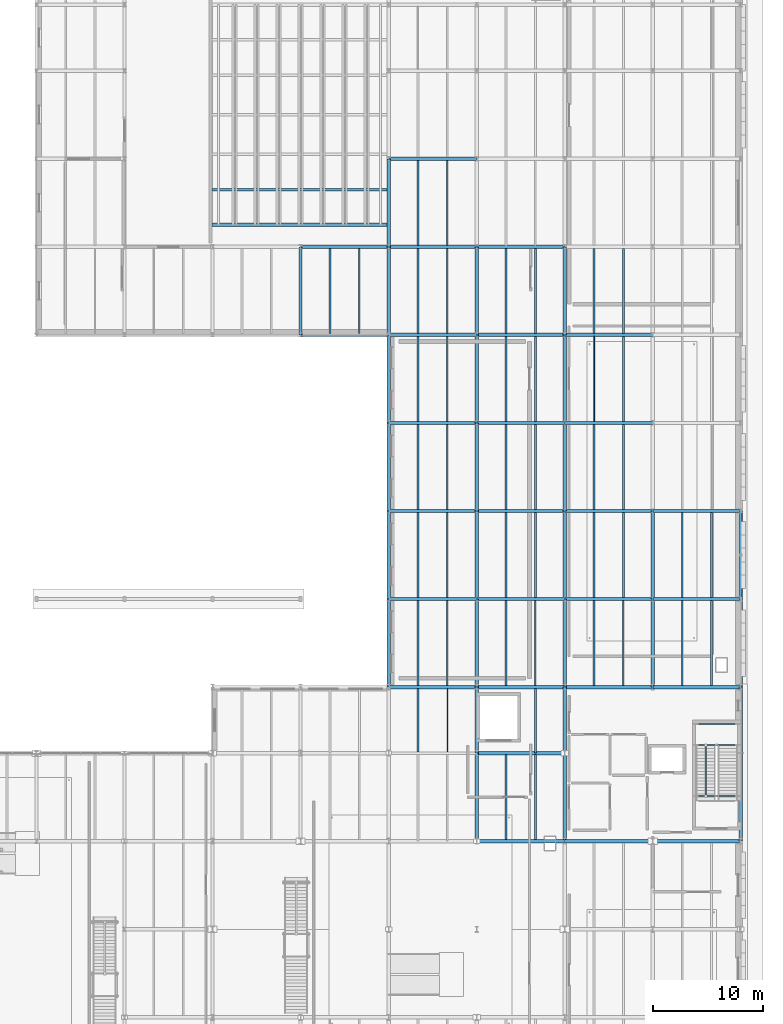
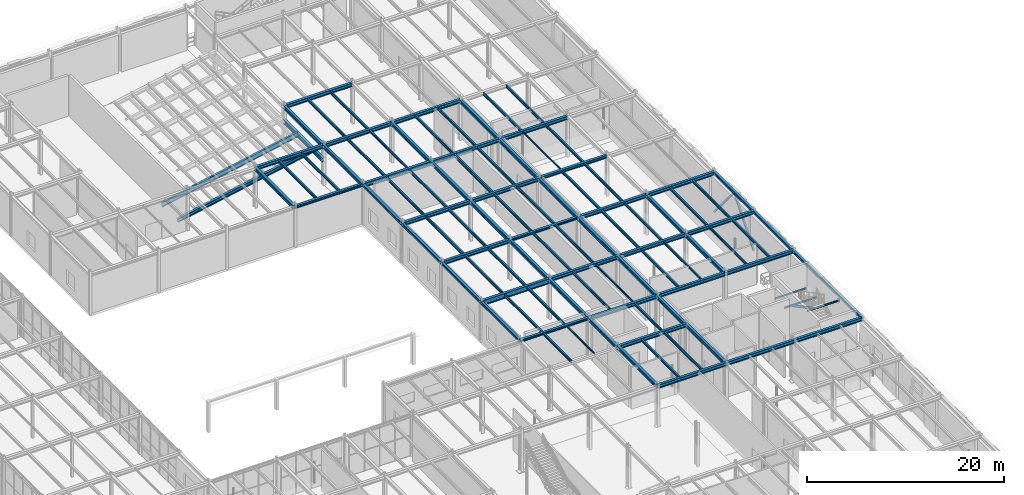
# One storey, part 57 of 129: 103 beams, 3 members.
"""IFC4 building model written with IfcOpenShell, lengths in metres."""

from ifc_helpers import new_model, si_unit, direction, frame, origin, origin_2d, place, context, subcontext, project, spatial, hollow_rectangle, i_section, extrude, material, material_profile, profile_set, type_object, element, save


model = new_model("IFC4")

# Units and contexts
model_context = context("Model", 3, precision=1e-05, world=origin(), true_north=direction((0.0, 1.0)))
body_context = subcontext(model_context, "Body", "Model", "MODEL_VIEW")
ifc_project = project(units=[si_unit("LENGTHUNIT", "METRE"), si_unit("AREAUNIT", "SQUARE_METRE"), si_unit("VOLUMEUNIT", "CUBIC_METRE"), si_unit("PLANEANGLEUNIT", "RADIAN"), si_unit("MASSUNIT", "GRAM", prefix="KILO")], contexts=[model_context])

# Site, building, storey
site_placement = place(None, origin())
site = spatial("IfcSite", under=ifc_project, at=site_placement, CompositionType="ELEMENT")
building_placement = place(site_placement, origin())
building = spatial("IfcBuilding", under=site, at=building_placement, Name="Sundkrona Museum", CompositionType="ELEMENT")
storey_placement = place(building_placement, origin())
storey = spatial("IfcBuildingStorey", under=building, at=storey_placement, Name="L00", CompositionType="ELEMENT", Elevation=0.0)

# Beams
ifc_material = material(Name="Steel S355J2", Category="steel")
ifc_material_profile_1 = material_profile(ifc_material, i_section(OverallWidth=0.300048828125, OverallDepth=0.2900390625, WebThickness=0.008544921875, FlangeThickness=0.013916015625, FilletRadius=0.027099609375, at=origin_2d()), Name="HEA 300")
ifc_profile_set_1 = profile_set([ifc_material_profile_1], Name="Steel S355J2")
beam_type_1 = type_object("IfcBeamType", Name="B-HEA300", PredefinedType="BEAM", material=ifc_profile_set_1)
beam_1_placement = place(storey_placement, frame((136.0, 46.0, 4.905029296875), z_axis=(1.0, 0.0, 0.0), x_axis=(0.0, 1.0, 0.0)))
element("IfcBeam", 1, at=beam_1_placement, inside=storey, type_object=beam_type_1, Name="L00 Girder X-0486", PredefinedType="BEAM", context=body_context, shape_type="SweptSolid", body=[
    extrude(i_section(OverallWidth=0.300048828125, OverallDepth=0.2900390625, WebThickness=0.008544921875, FlangeThickness=0.013916015625, FilletRadius=0.027099609375, at=origin_2d()), origin(), (0.0, 0.0, 1.0), 8.0),
])
ifc_material_profile_2 = material_profile(ifc_material, i_section(OverallWidth=0.300048828125, OverallDepth=0.43994140625, WebThickness=0.011474609375, FlangeThickness=0.02099609375, FilletRadius=0.027099609375, at=origin_2d()), Name="HEA 450")
ifc_profile_set_2 = profile_set([ifc_material_profile_2], Name="Steel S355J2")
beam_type_2 = type_object("IfcBeamType", Name="B-HEA450", PredefinedType="BEAM", material=ifc_profile_set_2)
for number, where, z_axis, x_axis, name in (
    (2, (144.0, 32.0, 4.93994140625), (1.0, 0.0, 0.0), (0.0, 1.0, 0.0), "L00 Girder X-0465"),
    (3, (152.0, 32.0, 4.93994140625), (1.0, 0.0, 0.0), (0.0, 1.0, 0.0), "L00 Girder X-0466"),
    (4, (160.0, 32.0, 4.93994140625), (1.0, 0.0, 0.0), (0.0, 1.0, 0.0), "L00 Girder X-0467"),
    (5, (144.0, 40.0, 4.93994140625), (1.0, 0.0, 0.0), (0.0, 1.0, 0.0), "L00 Girder X-0478"),
    (6, (144.0, 46.0, 4.830078125), (1.0, 0.0, 0.0), (0.0, 1.0, 0.0), "L00 Girder X-0487"),
    (7, (152.0, 46.0, 4.830078125), (1.0, 0.0, 0.0), (0.0, 1.0, 0.0), "L00 Girder X-0488"),
    (8, (160.0, 46.0, 4.830078125), (1.0, 0.0, 0.0), (0.0, 1.0, 0.0), "L00 Girder X-0489"),
    (9, (144.0, 54.0, 4.830078125), (1.0, 0.0, 0.0), (0.0, 1.0, 0.0), "L00 Girder X-0496"),
    (10, (152.0, 54.0, 4.830078125), (1.0, 0.0, 0.0), (0.0, 1.0, 0.0), "L00 Girder X-0497"),
    (11, (160.0, 54.0, 4.830078125), (1.0, 0.0, 0.0), (0.0, 1.0, 0.0), "L00 Girder X-0498"),
    (12, (136.0, 62.0, 4.830078125), (1.0, 0.0, 0.0), (0.0, 1.0, 0.0), "L00 Girder X-0503"),
    (13, (152.0, 62.0, 4.830078125), (1.0, 0.0, 0.0), (0.0, 1.0, 0.0), "L00 Girder X-0505"),
    (14, (160.0, 62.0, 4.830078125), (1.0, 0.0, 0.0), (0.0, 1.0, 0.0), "L00 Girder X-0506"),
    (15, (136.0, 70.0, 4.830078125), (1.0, 0.0, 0.0), (0.0, 1.0, 0.0), "L00 Girder X-0511"),
    (16, (144.0, 70.0, 4.830078125), (1.0, 0.0, 0.0), (0.0, 1.0, 0.0), "L00 Girder X-0512"),
    (17, (144.0, 78.0, 4.830078125), (1.0, 0.0, 0.0), (0.0, 1.0, 0.0), "L00 Girder X-0532"),
    (18, (152.0, 78.0, 4.830078125), (1.0, 0.0, 0.0), (0.0, 1.0, 0.0), "L00 Girder X-0533"),
    (19, (128.0, 86.0, 4.830078125), (1.0, 0.0, 0.0), (0.0, 1.0, 0.0), "L00 Girder X-0543"),
    (20, (136.0, 86.0, 4.830078125), (1.0, 0.0, 0.0), (0.0, 1.0, 0.0), "L00 Girder X-0544"),
    (21, (144.0, 86.0, 4.830078125), (1.0, 0.0, 0.0), (0.0, 1.0, 0.0), "L00 Girder X-0545"),
    (22, (136.0, 94.0, 4.830078125), (1.0, 0.0, 0.0), (0.0, 1.0, 0.0), "L00 Girder X-0561"),
    (23, (128.0, 78.0, 4.830078125), (0.0, 1.0, 0.0), (-1.0, 0.0, 0.0), "L00 Girder Y-0737"),
    (24, (136.0, 78.0, 4.830078125), (0.0, 1.0, 0.0), (-1.0, 0.0, 0.0), "L00 Girder Y-0748"),
    (25, (136.0, 86.0, 4.830078125), (0.0, 1.0, 0.0), (-1.0, 0.0, 0.0), "L00 Girder Y-0749"),
    (26, (144.0, 32.0, 4.93994140625), (0.0, 1.0, 0.0), (-1.0, 0.0, 0.0), "L00 Girder Y-0755"),
):
    element("IfcBeam", number, at=place(storey_placement, frame(where, z_axis=z_axis, x_axis=x_axis)), inside=storey, type_object=beam_type_2, Name=name, PredefinedType="BEAM", context=body_context, shape_type="SweptSolid", body=[
        extrude(i_section(OverallWidth=0.300048828125, OverallDepth=0.43994140625, WebThickness=0.011474609375, FlangeThickness=0.02099609375, FilletRadius=0.027099609375, at=origin_2d()), origin(), (0.0, 0.0, 1.0), 8.0),
    ])
beam_2_placement = place(storey_placement, frame((144.0, 40.0, 4.830078125), z_axis=(0.0, 1.0, 0.0), x_axis=(-1.0, 0.0, 0.0)))
element("IfcBeam", 27, at=beam_2_placement, inside=storey, type_object=beam_type_2, Name="L00 Girder Y-0756", PredefinedType="BEAM", context=body_context, shape_type="SweptSolid", body=[
    extrude(i_section(OverallWidth=0.300048828125, OverallDepth=0.43994140625, WebThickness=0.011474609375, FlangeThickness=0.02099609375, FilletRadius=0.027099609375, at=origin_2d()), origin(), (0.0, 0.0, 1.0), 6.0),
])
for number, where, z_axis, x_axis, name in (
    (28, (144.0, 46.0, 4.830078125), (0.0, 1.0, 0.0), (-1.0, 0.0, 0.0), "L00 Girder Y-0757"),
    (29, (144.0, 54.0, 4.830078125), (0.0, 1.0, 0.0), (-1.0, 0.0, 0.0), "L00 Girder Y-0758"),
    (30, (144.0, 62.0, 4.830078125), (0.0, 1.0, 0.0), (-1.0, 0.0, 0.0), "L00 Girder Y-0759"),
    (31, (144.0, 70.0, 4.830078125), (0.0, 1.0, 0.0), (-1.0, 0.0, 0.0), "L00 Girder Y-0760"),
    (32, (144.0, 78.0, 4.830078125), (0.0, 1.0, 0.0), (-1.0, 0.0, 0.0), "L00 Girder Y-0761"),
    (33, (152.0, 32.0, 4.93994140625), (0.0, 1.0, 0.0), (-1.0, 0.0, 0.0), "L00 Girder Y-0769"),
):
    element("IfcBeam", number, at=place(storey_placement, frame(where, z_axis=z_axis, x_axis=x_axis)), inside=storey, type_object=beam_type_2, Name=name, PredefinedType="BEAM", context=body_context, shape_type="SweptSolid", body=[
        extrude(i_section(OverallWidth=0.300048828125, OverallDepth=0.43994140625, WebThickness=0.011474609375, FlangeThickness=0.02099609375, FilletRadius=0.027099609375, at=origin_2d()), origin(), (0.0, 0.0, 1.0), 8.0),
    ])
beam_3_placement = place(storey_placement, frame((152.0, 40.0, 4.830078125), z_axis=(0.0, 1.0, 0.0), x_axis=(-1.0, 0.0, 0.0)))
element("IfcBeam", 34, at=beam_3_placement, inside=storey, type_object=beam_type_2, Name="L00 Girder Y-0770", PredefinedType="BEAM", context=body_context, shape_type="SweptSolid", body=[
    extrude(i_section(OverallWidth=0.300048828125, OverallDepth=0.43994140625, WebThickness=0.011474609375, FlangeThickness=0.02099609375, FilletRadius=0.027099609375, at=origin_2d()), origin(), (0.0, 0.0, 1.0), 6.0),
])
for number, where, z_axis, x_axis, name in (
    (35, (152.0, 46.0, 4.830078125), (0.0, 1.0, 0.0), (-1.0, 0.0, 0.0), "L00 Girder Y-0771"),
    (36, (152.0, 54.0, 4.830078125), (0.0, 1.0, 0.0), (-1.0, 0.0, 0.0), "L00 Girder Y-0772"),
    (37, (152.0, 62.0, 4.830078125), (0.0, 1.0, 0.0), (-1.0, 0.0, 0.0), "L00 Girder Y-0773"),
    (38, (152.0, 70.0, 4.830078125), (0.0, 1.0, 0.0), (-1.0, 0.0, 0.0), "L00 Girder Y-0774"),
    (39, (152.0, 78.0, 4.830078125), (0.0, 1.0, 0.0), (-1.0, 0.0, 0.0), "L00 Girder Y-0775"),
    (40, (160.0, 46.0, 4.830078125), (0.0, 1.0, 0.0), (-1.0, 0.0, 0.0), "L00 Girder Y-0784"),
    (41, (160.0, 54.0, 4.830078125), (0.0, 1.0, 0.0), (-1.0, 0.0, 0.0), "L00 Girder Y-0785"),
):
    element("IfcBeam", number, at=place(storey_placement, frame(where, z_axis=z_axis, x_axis=x_axis)), inside=storey, type_object=beam_type_2, Name=name, PredefinedType="BEAM", context=body_context, shape_type="SweptSolid", body=[
        extrude(i_section(OverallWidth=0.300048828125, OverallDepth=0.43994140625, WebThickness=0.011474609375, FlangeThickness=0.02099609375, FilletRadius=0.027099609375, at=origin_2d()), origin(), (0.0, 0.0, 1.0), 8.0),
    ])
ifc_material_profile_3 = material_profile(ifc_material, i_section(OverallWidth=0.300048828125, OverallDepth=0.639892578125, WebThickness=0.013427734375, FlangeThickness=0.02587890625, FilletRadius=0.027099609375, at=origin_2d()), Name="HEA 650")
ifc_profile_set_3 = profile_set([ifc_material_profile_3], Name="Steel S355J2")
beam_type_3 = type_object("IfcBeamType", Name="B-HEA650", PredefinedType="BEAM", material=ifc_profile_set_3)
beam_4_placement = place(storey_placement, frame((136.0, 54.0, 4.72998046875), z_axis=(1.0, 0.0, 0.0), x_axis=(0.0, 1.0, 0.0)))
element("IfcBeam", 42, at=beam_4_placement, inside=storey, type_object=beam_type_3, Name="L00 Girder X-0495", PredefinedType="BEAM", context=body_context, shape_type="SweptSolid", body=[
    extrude(i_section(OverallWidth=0.300048828125, OverallDepth=0.639892578125, WebThickness=0.013427734375, FlangeThickness=0.02587890625, FilletRadius=0.027099609375, at=origin_2d()), origin(), (0.0, 0.0, 1.0), 8.0),
])
ifc_material_profile_4 = material_profile(ifc_material, i_section(OverallWidth=0.300048828125, OverallDepth=0.300048828125, WebThickness=0.010986328125, FlangeThickness=0.01904296875, FilletRadius=0.027099609375, at=origin_2d()), Name="HEB 300")
ifc_profile_set_4 = profile_set([ifc_material_profile_4], Name="Steel S355J2")
beam_type_4 = type_object("IfcBeamType", Name="B-HEB300", PredefinedType="BEAM", material=ifc_profile_set_4)
beam_5_placement = place(storey_placement, frame((144.0, 62.0, 4.89990234375), z_axis=(1.0, 0.0, 0.0), x_axis=(0.0, 1.0, 0.0)))
element("IfcBeam", 43, at=beam_5_placement, inside=storey, type_object=beam_type_4, Name="L00 Girder X-0504", PredefinedType="BEAM", context=body_context, shape_type="SweptSolid", body=[
    extrude(i_section(OverallWidth=0.300048828125, OverallDepth=0.300048828125, WebThickness=0.010986328125, FlangeThickness=0.01904296875, FilletRadius=0.027099609375, at=origin_2d()), origin(), (0.0, 0.0, 1.0), 8.0),
])
ifc_material_profile_5 = material_profile(ifc_material, i_section(OverallWidth=0.300048828125, OverallDepth=0.360107421875, WebThickness=0.012451171875, FlangeThickness=0.0224609375, FilletRadius=0.027099609375, at=origin_2d()), Name="HEB 360")
ifc_profile_set_5 = profile_set([ifc_material_profile_5], Name="Steel S355J2")
beam_type_5 = type_object("IfcBeamType", Name="B-HEB360", PredefinedType="BEAM", material=ifc_profile_set_5)
beam_6_placement = place(storey_placement, frame((152.0, 70.0, 4.8701171875), z_axis=(1.0, 0.0, 0.0), x_axis=(0.0, 1.0, 0.0)))
element("IfcBeam", 44, at=beam_6_placement, inside=storey, type_object=beam_type_5, Name="L00 Girder X-0513", PredefinedType="BEAM", context=body_context, shape_type="SweptSolid", body=[
    extrude(i_section(OverallWidth=0.300048828125, OverallDepth=0.360107421875, WebThickness=0.012451171875, FlangeThickness=0.0224609375, FilletRadius=0.027099609375, at=origin_2d()), origin(), (0.0, 0.0, 1.0), 8.0),
])
ifc_material_profile_6 = material_profile(ifc_material, i_section(OverallWidth=0.300048828125, OverallDepth=0.5, WebThickness=0.014404296875, FlangeThickness=0.028076171875, FilletRadius=0.027099609375, at=origin_2d()), Name="HEB 500")
ifc_profile_set_6 = profile_set([ifc_material_profile_6], Name="Steel S355J2")
beam_type_6 = type_object("IfcBeamType", Name="B-HEB500", PredefinedType="BEAM", material=ifc_profile_set_6)
for number, where, z_axis, x_axis, name in (
    (45, (136.0, 78.0, 4.800048828125), (1.0, 0.0, 0.0), (0.0, 1.0, 0.0), "L00 Girder X-0531"),
    (46, (136.0, 86.0, 3.050048828125), (0.0, 1.0, 0.0), (-1.0, 0.0, 0.0), "RKR-1 Auditorium Rear Raker Support Girder 86"),
):
    element("IfcBeam", number, at=place(storey_placement, frame(where, z_axis=z_axis, x_axis=x_axis)), inside=storey, type_object=beam_type_6, Name=name, PredefinedType="BEAM", context=body_context, shape_type="SweptSolid", body=[
        extrude(i_section(OverallWidth=0.300048828125, OverallDepth=0.5, WebThickness=0.014404296875, FlangeThickness=0.028076171875, FilletRadius=0.027099609375, at=origin_2d()), origin(), (0.0, 0.0, 1.0), 8.0),
    ])

# Members
ifc_material_profile_7 = material_profile(ifc_material, i_section(OverallWidth=0.135009765625, OverallDepth=0.27001953125, WebThickness=0.006591796875, FlangeThickness=0.01025390625, FilletRadius=0.014892578125, at=origin_2d()), Name="IPE 270")
ifc_profile_set_7 = profile_set([ifc_material_profile_7], Name="Steel S355J2")
member_type_1 = type_object("IfcMemberType", Name="BR-IPE270", PredefinedType="BRACE", material=ifc_profile_set_7)
member_placement = place(storey_placement, frame((164.800048828125, 40.715087890625, 2.3798828125), z_axis=(0.0, -0.884492571905, 0.466554273632), x_axis=(1.0, 0.0, 0.0)))
element("IfcMember", 47, at=member_placement, inside=storey, type_object=member_type_1, Name="SRK-1 L00 ST-1 Flight 2 Inclined Carriage Raker", PredefinedType="BRACE", context=body_context, shape_type="SweptSolid", body=[
    extrude(i_section(OverallWidth=0.135009765625, OverallDepth=0.27001953125, WebThickness=0.006591796875, FlangeThickness=0.01025390625, FilletRadius=0.014892578125, at=origin_2d()), origin(), (0.0, 0.0, 1.0), 5.2177734375),
])
ifc_material_profile_8 = material_profile(ifc_material, hollow_rectangle(XDim=0.199951171875, YDim=0.199951171875, WallThickness=0.010009765625, at=origin_2d()), Name="SHS 200x200x10.0")
ifc_profile_set_8 = profile_set([ifc_material_profile_8], Name="Steel S355J2")
member_type_2 = type_object("IfcMemberType", Name="BR-SHS200", PredefinedType="BRACE", material=ifc_profile_set_8)
for number, where, z_axis, x_axis, name in (
    (48, (168.0, 54.0, 0.0), (0.0, 0.637822630938, 0.770183284331), (-1.0, 0.0, 0.0), "CBR-1 L00 Concentric Chevron Brace 026A"),
    (49, (168.0, 62.0, 0.0), (0.0, -0.637822630938, 0.770183284331), (1.0, 0.0, 0.0), "CBR-1 L00 Concentric Chevron Brace 026B"),
):
    element("IfcMember", number, at=place(storey_placement, frame(where, z_axis=z_axis, x_axis=x_axis)), inside=storey, type_object=member_type_2, Name=name, PredefinedType="BRACE", context=body_context, shape_type="SweptSolid", body=[
        extrude(hollow_rectangle(XDim=0.199951171875, YDim=0.199951171875, WallThickness=0.010009765625, at=origin_2d()), origin(), (0.0, 0.0, 1.0), 6.271240234375),
    ])

# Beams
ifc_material_profile_9 = material_profile(ifc_material, i_section(OverallWidth=0.091064453125, OverallDepth=0.179931640625, WebThickness=0.00537109375, FlangeThickness=0.008056640625, FilletRadius=0.009033203125, at=origin_2d()), Name="IPE 180")
ifc_profile_set_9 = profile_set([ifc_material_profile_9], Name="Steel S355J2")
beam_type_7 = type_object("IfcBeamType", Name="J-IPE180", PredefinedType="JOIST", material=ifc_profile_set_9)
beam_7_placement = place(storey_placement, frame((154.666748046875, 70.14404296875, 4.9599609375), z_axis=(0.0, 1.0, 0.0), x_axis=(-1.0, 0.0, 0.0)))
element("IfcBeam", 50, at=beam_7_placement, inside=storey, type_object=beam_type_7, Name="L00 Composite Joist 0535", PredefinedType="JOIST", context=body_context, shape_type="SweptSolid", body=[
    extrude(i_section(OverallWidth=0.091064453125, OverallDepth=0.179931640625, WebThickness=0.00537109375, FlangeThickness=0.008056640625, FilletRadius=0.009033203125, at=origin_2d()), origin(), (0.0, 0.0, 1.0), 7.7119140625),
])
ifc_material_profile_10 = material_profile(ifc_material, i_section(OverallWidth=0.10009765625, OverallDepth=0.199951171875, WebThickness=0.005615234375, FlangeThickness=0.008544921875, FilletRadius=0.011962890625, at=origin_2d()), Name="IPE 200")
ifc_profile_set_10 = profile_set([ifc_material_profile_10], Name="Steel S355J2")
beam_type_8 = type_object("IfcBeamType", Name="J-IPE200", PredefinedType="JOIST", material=ifc_profile_set_10)
beam_8_placement = place(storey_placement, frame((141.333251953125, 40.118896484375, 4.949951171875), z_axis=(0.0, 1.0, 0.0), x_axis=(-1.0, 0.0, 0.0)))
element("IfcBeam", 51, at=beam_8_placement, inside=storey, type_object=beam_type_8, Name="L00 Composite Joist 0480", PredefinedType="JOIST", context=body_context, shape_type="SweptSolid", body=[
    extrude(i_section(OverallWidth=0.10009765625, OverallDepth=0.199951171875, WebThickness=0.005615234375, FlangeThickness=0.008544921875, FilletRadius=0.011962890625, at=origin_2d()), origin(), (0.0, 0.0, 1.0), 5.737060546875),
])
for number, where, z_axis, x_axis, name in (
    (52, (163.909912109375, 40.754638671875, 2.3798828125), (1.0, 0.0, 0.0), (0.0, 1.0, 0.0), "L00 ST-1 Mid-Landing Trimmer Beam 1A"),
    (53, (163.909912109375, 42.660400390625, 2.3798828125), (1.0, 0.0, 0.0), (0.0, 1.0, 0.0), "L00 ST-1 Mid-Landing Trimmer Beam 1B"),
    (54, (163.909912109375, 36.10009765625, 4.814208984375), (1.0, 0.0, 0.0), (0.0, 1.0, 0.0), "L00 ST-1 Flight 2 Arrival Header Beam"),
):
    element("IfcBeam", number, at=place(storey_placement, frame(where, z_axis=z_axis, x_axis=x_axis)), inside=storey, type_object=beam_type_8, Name=name, PredefinedType="JOIST", context=body_context, shape_type="SweptSolid", body=[
        extrude(i_section(OverallWidth=0.10009765625, OverallDepth=0.199951171875, WebThickness=0.005615234375, FlangeThickness=0.008544921875, FilletRadius=0.011962890625, at=origin_2d()), origin(), (0.0, 0.0, 1.0), 3.780029296875),
    ])
ifc_material_profile_11 = material_profile(ifc_material, i_section(OverallWidth=0.1201171875, OverallDepth=0.239990234375, WebThickness=0.006103515625, FlangeThickness=0.009765625, FilletRadius=0.014892578125, at=origin_2d()), Name="IPE 240")
ifc_profile_set_11 = profile_set([ifc_material_profile_11], Name="Steel S355J2")
beam_type_9 = type_object("IfcBeamType", Name="J-IPE240", PredefinedType="JOIST", material=ifc_profile_set_11)
beam_9_placement = place(storey_placement, frame((149.333251953125, 46.14404296875, 4.929931640625), z_axis=(0.0, 1.0, 0.0), x_axis=(-1.0, 0.0, 0.0)))
element("IfcBeam", 55, at=beam_9_placement, inside=storey, type_object=beam_type_9, Name="L00 Composite Joist 0505", PredefinedType="JOIST", context=body_context, shape_type="SweptSolid", body=[
    extrude(i_section(OverallWidth=0.1201171875, OverallDepth=0.239990234375, WebThickness=0.006103515625, FlangeThickness=0.009765625, FilletRadius=0.014892578125, at=origin_2d()), origin(), (0.0, 0.0, 1.0), 7.7119140625),
])
ifc_material_profile_12 = material_profile(ifc_material, i_section(OverallWidth=0.135009765625, OverallDepth=0.27001953125, WebThickness=0.006591796875, FlangeThickness=0.01025390625, FilletRadius=0.014892578125, at=origin_2d()), Name="IPE 270")
ifc_profile_set_12 = profile_set([ifc_material_profile_12], Name="Steel S355J2")
beam_type_10 = type_object("IfcBeamType", Name="J-IPE270", PredefinedType="JOIST", material=ifc_profile_set_12)
for number, where, z_axis, x_axis, name in (
    (56, (141.333251953125, 78.14404296875, 4.9150390625), (0.0, 1.0, 0.0), (-1.0, 0.0, 0.0), "L00 Composite Joist 0490"),
    (57, (157.333251953125, 46.14404296875, 4.9150390625), (0.0, 1.0, 0.0), (-1.0, 0.0, 0.0), "L00 Composite Joist 0530"),
):
    element("IfcBeam", number, at=place(storey_placement, frame(where, z_axis=z_axis, x_axis=x_axis)), inside=storey, type_object=beam_type_10, Name=name, PredefinedType="JOIST", context=body_context, shape_type="SweptSolid", body=[
        extrude(i_section(OverallWidth=0.135009765625, OverallDepth=0.27001953125, WebThickness=0.006591796875, FlangeThickness=0.01025390625, FilletRadius=0.014892578125, at=origin_2d()), origin(), (0.0, 0.0, 1.0), 7.7119140625),
    ])
ifc_material_profile_13 = material_profile(ifc_material, i_section(OverallWidth=0.14990234375, OverallDepth=0.300048828125, WebThickness=0.007080078125, FlangeThickness=0.0107421875, FilletRadius=0.014892578125, at=origin_2d()), Name="IPE 300")
ifc_profile_set_13 = profile_set([ifc_material_profile_13], Name="Steel S355J2")
beam_type_11 = type_object("IfcBeamType", Name="J-IPE300", PredefinedType="JOIST", material=ifc_profile_set_13)
beam_10_placement = place(storey_placement, frame((162.666748046875, 46.14404296875, 4.89990234375), z_axis=(0.0, 1.0, 0.0), x_axis=(-1.0, 0.0, 0.0)))
element("IfcBeam", 58, at=beam_10_placement, inside=storey, type_object=beam_type_11, Name="L00 Composite Joist 0555", PredefinedType="JOIST", context=body_context, shape_type="SweptSolid", body=[
    extrude(i_section(OverallWidth=0.14990234375, OverallDepth=0.300048828125, WebThickness=0.007080078125, FlangeThickness=0.0107421875, FilletRadius=0.014892578125, at=origin_2d()), origin(), (0.0, 0.0, 1.0), 7.7119140625),
])
ifc_material_profile_14 = material_profile(ifc_material, i_section(OverallWidth=0.159912109375, OverallDepth=0.330078125, WebThickness=0.007568359375, FlangeThickness=0.011474609375, FilletRadius=0.01806640625, at=origin_2d()), Name="IPE 330")
ifc_profile_set_14 = profile_set([ifc_material_profile_14], Name="Steel S355J2")
beam_type_12 = type_object("IfcBeamType", Name="J-IPE330", PredefinedType="JOIST", material=ifc_profile_set_14)
for number, where, z_axis, x_axis, name in (
    (59, (130.666748046875, 78.14404296875, 4.885009765625), (0.0, 1.0, 0.0), (-1.0, 0.0, 0.0), "L00 Composite Joist 0471"),
    (60, (133.333251953125, 78.14404296875, 4.885009765625), (0.0, 1.0, 0.0), (-1.0, 0.0, 0.0), "L00 Composite Joist 0472"),
):
    element("IfcBeam", number, at=place(storey_placement, frame(where, z_axis=z_axis, x_axis=x_axis)), inside=storey, type_object=beam_type_12, Name=name, PredefinedType="JOIST", context=body_context, shape_type="SweptSolid", body=[
        extrude(i_section(OverallWidth=0.159912109375, OverallDepth=0.330078125, WebThickness=0.007568359375, FlangeThickness=0.011474609375, FilletRadius=0.01806640625, at=origin_2d()), origin(), (0.0, 0.0, 1.0), 7.7119140625),
    ])
beam_11_placement = place(storey_placement, frame((138.666748046875, 40.118896484375, 4.885009765625), z_axis=(0.0, 1.0, 0.0), x_axis=(-1.0, 0.0, 0.0)))
element("IfcBeam", 61, at=beam_11_placement, inside=storey, type_object=beam_type_12, Name="L00 Composite Joist 0479", PredefinedType="JOIST", context=body_context, shape_type="SweptSolid", body=[
    extrude(i_section(OverallWidth=0.159912109375, OverallDepth=0.330078125, WebThickness=0.007568359375, FlangeThickness=0.011474609375, FilletRadius=0.01806640625, at=origin_2d()), origin(), (0.0, 0.0, 1.0), 5.737060546875),
])
for number, where, z_axis, x_axis, name in (
    (62, (138.666748046875, 46.14404296875, 4.885009765625), (0.0, 1.0, 0.0), (-1.0, 0.0, 0.0), "L00 Composite Joist 0481"),
    (63, (141.333251953125, 46.14404296875, 4.885009765625), (0.0, 1.0, 0.0), (-1.0, 0.0, 0.0), "L00 Composite Joist 0482"),
    (64, (138.666748046875, 54.14404296875, 4.885009765625), (0.0, 1.0, 0.0), (-1.0, 0.0, 0.0), "L00 Composite Joist 0483"),
    (65, (141.333251953125, 54.14404296875, 4.885009765625), (0.0, 1.0, 0.0), (-1.0, 0.0, 0.0), "L00 Composite Joist 0484"),
    (66, (141.333251953125, 62.14404296875, 4.885009765625), (0.0, 1.0, 0.0), (-1.0, 0.0, 0.0), "L00 Composite Joist 0486"),
    (67, (138.666748046875, 70.14404296875, 4.885009765625), (0.0, 1.0, 0.0), (-1.0, 0.0, 0.0), "L00 Composite Joist 0487"),
    (68, (141.333251953125, 70.14404296875, 4.885009765625), (0.0, 1.0, 0.0), (-1.0, 0.0, 0.0), "L00 Composite Joist 0488"),
    (69, (138.666748046875, 78.14404296875, 4.885009765625), (0.0, 1.0, 0.0), (-1.0, 0.0, 0.0), "L00 Composite Joist 0489"),
    (70, (138.666748046875, 86.14404296875, 4.885009765625), (0.0, 1.0, 0.0), (-1.0, 0.0, 0.0), "L00 Composite Joist 0491"),
    (71, (141.333251953125, 86.14404296875, 4.885009765625), (0.0, 1.0, 0.0), (-1.0, 0.0, 0.0), "L00 Composite Joist 0492"),
    (72, (146.666748046875, 32.14404296875, 4.9951171875), (0.0, 1.0, 0.0), (-1.0, 0.0, 0.0), "L00 Composite Joist 0501"),
    (73, (149.333251953125, 32.14404296875, 4.9951171875), (0.0, 1.0, 0.0), (-1.0, 0.0, 0.0), "L00 Composite Joist 0502"),
):
    element("IfcBeam", number, at=place(storey_placement, frame(where, z_axis=z_axis, x_axis=x_axis)), inside=storey, type_object=beam_type_12, Name=name, PredefinedType="JOIST", context=body_context, shape_type="SweptSolid", body=[
        extrude(i_section(OverallWidth=0.159912109375, OverallDepth=0.330078125, WebThickness=0.007568359375, FlangeThickness=0.011474609375, FilletRadius=0.01806640625, at=origin_2d()), origin(), (0.0, 0.0, 1.0), 7.7119140625),
    ])
beam_12_placement = place(storey_placement, frame((149.333251953125, 40.014892578125, 4.885009765625), z_axis=(0.0, 1.0, 0.0), x_axis=(-1.0, 0.0, 0.0)))
element("IfcBeam", 74, at=beam_12_placement, inside=storey, type_object=beam_type_12, Name="L00 Composite Joist 0503", PredefinedType="JOIST", context=body_context, shape_type="SweptSolid", body=[
    extrude(i_section(OverallWidth=0.159912109375, OverallDepth=0.330078125, WebThickness=0.007568359375, FlangeThickness=0.011474609375, FilletRadius=0.01806640625, at=origin_2d()), origin(), (0.0, 0.0, 1.0), 5.841064453125),
])
for number, where, z_axis, x_axis, name in (
    (75, (146.666748046875, 46.14404296875, 4.885009765625), (0.0, 1.0, 0.0), (-1.0, 0.0, 0.0), "L00 Composite Joist 0504"),
    (76, (146.666748046875, 54.14404296875, 4.885009765625), (0.0, 1.0, 0.0), (-1.0, 0.0, 0.0), "L00 Composite Joist 0506"),
    (77, (149.333251953125, 54.14404296875, 4.885009765625), (0.0, 1.0, 0.0), (-1.0, 0.0, 0.0), "L00 Composite Joist 0507"),
    (78, (146.666748046875, 62.14404296875, 4.885009765625), (0.0, 1.0, 0.0), (-1.0, 0.0, 0.0), "L00 Composite Joist 0508"),
    (79, (149.333251953125, 62.14404296875, 4.885009765625), (0.0, 1.0, 0.0), (-1.0, 0.0, 0.0), "L00 Composite Joist 0509"),
    (80, (149.333251953125, 70.14404296875, 4.885009765625), (0.0, 1.0, 0.0), (-1.0, 0.0, 0.0), "L00 Composite Joist 0511"),
    (81, (146.666748046875, 78.14404296875, 4.885009765625), (0.0, 1.0, 0.0), (-1.0, 0.0, 0.0), "L00 Composite Joist 0512"),
    (82, (149.333251953125, 78.14404296875, 4.885009765625), (0.0, 1.0, 0.0), (-1.0, 0.0, 0.0), "L00 Composite Joist 0513"),
    (83, (154.666748046875, 46.14404296875, 4.885009765625), (0.0, 1.0, 0.0), (-1.0, 0.0, 0.0), "L00 Composite Joist 0529"),
    (84, (154.666748046875, 54.14404296875, 4.885009765625), (0.0, 1.0, 0.0), (-1.0, 0.0, 0.0), "L00 Composite Joist 0531"),
    (85, (157.333251953125, 54.14404296875, 4.885009765625), (0.0, 1.0, 0.0), (-1.0, 0.0, 0.0), "L00 Composite Joist 0532"),
    (86, (154.666748046875, 62.14404296875, 4.885009765625), (0.0, 1.0, 0.0), (-1.0, 0.0, 0.0), "L00 Composite Joist 0533"),
    (87, (157.333251953125, 62.14404296875, 4.885009765625), (0.0, 1.0, 0.0), (-1.0, 0.0, 0.0), "L00 Composite Joist 0534"),
    (88, (157.333251953125, 70.14404296875, 4.885009765625), (0.0, 1.0, 0.0), (-1.0, 0.0, 0.0), "L00 Composite Joist 0536"),
    (89, (154.666748046875, 78.14404296875, 4.885009765625), (0.0, 1.0, 0.0), (-1.0, 0.0, 0.0), "L00 Composite Joist 0537"),
    (90, (157.333251953125, 78.14404296875, 4.885009765625), (0.0, 1.0, 0.0), (-1.0, 0.0, 0.0), "L00 Composite Joist 0538"),
    (91, (165.333251953125, 46.14404296875, 4.885009765625), (0.0, 1.0, 0.0), (-1.0, 0.0, 0.0), "L00 Composite Joist 0556"),
    (92, (162.666748046875, 54.14404296875, 4.885009765625), (0.0, 1.0, 0.0), (-1.0, 0.0, 0.0), "L00 Composite Joist 0557"),
    (93, (165.333251953125, 54.14404296875, 4.885009765625), (0.0, 1.0, 0.0), (-1.0, 0.0, 0.0), "L00 Composite Joist 0558"),
):
    element("IfcBeam", number, at=place(storey_placement, frame(where, z_axis=z_axis, x_axis=x_axis)), inside=storey, type_object=beam_type_12, Name=name, PredefinedType="JOIST", context=body_context, shape_type="SweptSolid", body=[
        extrude(i_section(OverallWidth=0.159912109375, OverallDepth=0.330078125, WebThickness=0.007568359375, FlangeThickness=0.011474609375, FilletRadius=0.01806640625, at=origin_2d()), origin(), (0.0, 0.0, 1.0), 7.7119140625),
    ])
ifc_material_profile_15 = material_profile(ifc_material, i_section(OverallWidth=0.169921875, OverallDepth=0.360107421875, WebThickness=0.008056640625, FlangeThickness=0.0126953125, FilletRadius=0.01806640625, at=origin_2d()), Name="IPE 360")
ifc_profile_set_15 = profile_set([ifc_material_profile_15], Name="Steel S355J2")
beam_type_13 = type_object("IfcBeamType", Name="J-IPE360", PredefinedType="JOIST", material=ifc_profile_set_15)
beam_13_placement = place(storey_placement, frame((138.666748046875, 62.14404296875, 4.8701171875), z_axis=(0.0, 1.0, 0.0), x_axis=(-1.0, 0.0, 0.0)))
element("IfcBeam", 94, at=beam_13_placement, inside=storey, type_object=beam_type_13, Name="L00 Composite Joist 0485", PredefinedType="JOIST", context=body_context, shape_type="SweptSolid", body=[
    extrude(i_section(OverallWidth=0.169921875, OverallDepth=0.360107421875, WebThickness=0.008056640625, FlangeThickness=0.0126953125, FilletRadius=0.01806640625, at=origin_2d()), origin(), (0.0, 0.0, 1.0), 7.7119140625),
])
ifc_material_profile_16 = material_profile(ifc_material, i_section(OverallWidth=0.179931640625, OverallDepth=0.39990234375, WebThickness=0.008544921875, FlangeThickness=0.013427734375, FilletRadius=0.02099609375, at=origin_2d()), Name="IPE 400")
ifc_profile_set_16 = profile_set([ifc_material_profile_16], Name="Steel S355J2")
beam_type_14 = type_object("IfcBeamType", Name="J-IPE400", PredefinedType="JOIST", material=ifc_profile_set_16)
beam_14_placement = place(storey_placement, frame((146.666748046875, 70.14404296875, 4.85009765625), z_axis=(0.0, 1.0, 0.0), x_axis=(-1.0, 0.0, 0.0)))
element("IfcBeam", 95, at=beam_14_placement, inside=storey, type_object=beam_type_14, Name="L00 Composite Joist 0510", PredefinedType="JOIST", context=body_context, shape_type="SweptSolid", body=[
    extrude(i_section(OverallWidth=0.179931640625, OverallDepth=0.39990234375, WebThickness=0.008544921875, FlangeThickness=0.013427734375, FilletRadius=0.02099609375, at=origin_2d()), origin(), (0.0, 0.0, 1.0), 7.7119140625),
])
ifc_material_profile_17 = material_profile(ifc_material, i_section(OverallWidth=0.300048828125, OverallDepth=0.449951171875, WebThickness=0.013916015625, FlangeThickness=0.02587890625, FilletRadius=0.027099609375, at=origin_2d()), Name="HEB 450")
ifc_profile_set_17 = profile_set([ifc_material_profile_17], Name="Steel S355J2")
beam_type_15 = type_object("IfcBeamType", Name="RK-HEB450", PredefinedType="USERDEFINED", material=ifc_profile_set_17)
beam_15_placement = place(storey_placement, frame((120.0, 88.0, -0.030029296875), z_axis=(0.980816541287, 0.0, 0.19493309708), x_axis=(0.0, 1.0, 0.0)))
element("IfcBeam", 96, at=beam_15_placement, inside=storey, type_object=beam_type_15, Name="SRK-1 Auditorium Inclined Seating Raker 01", ObjectType="RAKER", PredefinedType="USERDEFINED", context=body_context, shape_type="SweptSolid", body=[
    extrude(i_section(OverallWidth=0.300048828125, OverallDepth=0.449951171875, WebThickness=0.013916015625, FlangeThickness=0.02587890625, FilletRadius=0.027099609375, at=origin_2d()), origin(), (0.0, 0.0, 1.0), 16.31298828125),
])
ifc_material_profile_18 = material_profile(ifc_material, i_section(OverallWidth=0.219970703125, OverallDepth=0.60009765625, WebThickness=0.011962890625, FlangeThickness=0.01904296875, FilletRadius=0.02392578125, at=origin_2d()), Name="IPE 600")
ifc_profile_set_18 = profile_set([ifc_material_profile_18], Name="Steel S355J2")
beam_type_16 = type_object("IfcBeamType", Name="RK-IPE600", PredefinedType="USERDEFINED", material=ifc_profile_set_18)
beam_16_placement = place(storey_placement, frame((120.0, 91.199951171875, -0.030029296875), z_axis=(0.980816541287, 0.0, 0.19493309708), x_axis=(0.0, 1.0, 0.0)))
element("IfcBeam", 97, at=beam_16_placement, inside=storey, type_object=beam_type_16, Name="SRK-1 Auditorium Inclined Seating Raker 02", ObjectType="RAKER", PredefinedType="USERDEFINED", context=body_context, shape_type="SweptSolid", body=[
    extrude(i_section(OverallWidth=0.219970703125, OverallDepth=0.60009765625, WebThickness=0.011962890625, FlangeThickness=0.01904296875, FilletRadius=0.02392578125, at=origin_2d()), origin(), (0.0, 0.0, 1.0), 16.31298828125),
])
ifc_material_profile_19 = material_profile(ifc_material, i_section(OverallWidth=0.300048828125, OverallDepth=0.320068359375, WebThickness=0.011474609375, FlangeThickness=0.0205078125, FilletRadius=0.027099609375, at=origin_2d()), Name="HEB 320")
ifc_profile_set_19 = profile_set([ifc_material_profile_19], Name="Steel S355J2")
beam_type_17 = type_object("IfcBeamType", Name="SP-HEB320", PredefinedType="SPANDREL", material=ifc_profile_set_19)
for number, where, z_axis, x_axis, name in (
    (98, (128.0, 78.0, 4.889892578125), (1.0, 0.0, 0.0), (0.0, 1.0, 0.0), "L00 Girder X-0530"),
    (99, (136.0, 46.0, 4.889892578125), (0.0, 1.0, 0.0), (-1.0, 0.0, 0.0), "L00 Girder Y-0744"),
    (100, (136.0, 54.0, 4.889892578125), (0.0, 1.0, 0.0), (-1.0, 0.0, 0.0), "L00 Girder Y-0745"),
    (101, (136.0, 62.0, 4.889892578125), (0.0, 1.0, 0.0), (-1.0, 0.0, 0.0), "L00 Girder Y-0746"),
    (102, (136.0, 70.0, 4.889892578125), (0.0, 1.0, 0.0), (-1.0, 0.0, 0.0), "L00 Girder Y-0747"),
    (103, (168.0, 32.0, 5.0), (0.0, 1.0, 0.0), (-1.0, 0.0, 0.0), "L00 Girder Y-0797"),
):
    element("IfcBeam", number, at=place(storey_placement, frame(where, z_axis=z_axis, x_axis=x_axis)), inside=storey, type_object=beam_type_17, Name=name, PredefinedType="SPANDREL", context=body_context, shape_type="SweptSolid", body=[
        extrude(i_section(OverallWidth=0.300048828125, OverallDepth=0.320068359375, WebThickness=0.011474609375, FlangeThickness=0.0205078125, FilletRadius=0.027099609375, at=origin_2d()), origin(), (0.0, 0.0, 1.0), 8.0),
    ])
beam_17_placement = place(storey_placement, frame((168.0, 40.0, 4.889892578125), z_axis=(0.0, 1.0, 0.0), x_axis=(-1.0, 0.0, 0.0)))
element("IfcBeam", 104, at=beam_17_placement, inside=storey, type_object=beam_type_17, Name="L00 Girder Y-0798", PredefinedType="SPANDREL", context=body_context, shape_type="SweptSolid", body=[
    extrude(i_section(OverallWidth=0.300048828125, OverallDepth=0.320068359375, WebThickness=0.011474609375, FlangeThickness=0.0205078125, FilletRadius=0.027099609375, at=origin_2d()), origin(), (0.0, 0.0, 1.0), 6.0),
])
for number, where, z_axis, x_axis, name in (
    (105, (168.0, 46.0, 4.889892578125), (0.0, 1.0, 0.0), (-1.0, 0.0, 0.0), "L00 Girder Y-0799"),
    (106, (168.0, 54.0, 4.889892578125), (0.0, 1.0, 0.0), (-1.0, 0.0, 0.0), "L00 Girder Y-0800"),
):
    element("IfcBeam", number, at=place(storey_placement, frame(where, z_axis=z_axis, x_axis=x_axis)), inside=storey, type_object=beam_type_17, Name=name, PredefinedType="SPANDREL", context=body_context, shape_type="SweptSolid", body=[
        extrude(i_section(OverallWidth=0.300048828125, OverallDepth=0.320068359375, WebThickness=0.011474609375, FlangeThickness=0.0205078125, FilletRadius=0.027099609375, at=origin_2d()), origin(), (0.0, 0.0, 1.0), 8.0),
    ])

save(model, "model.ifc")
